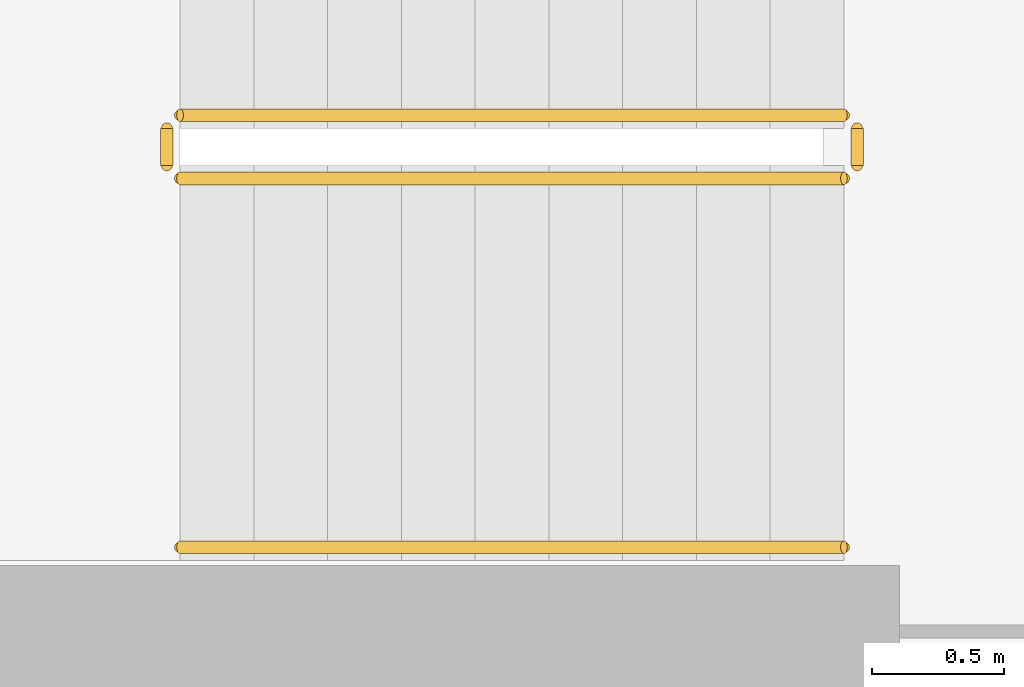
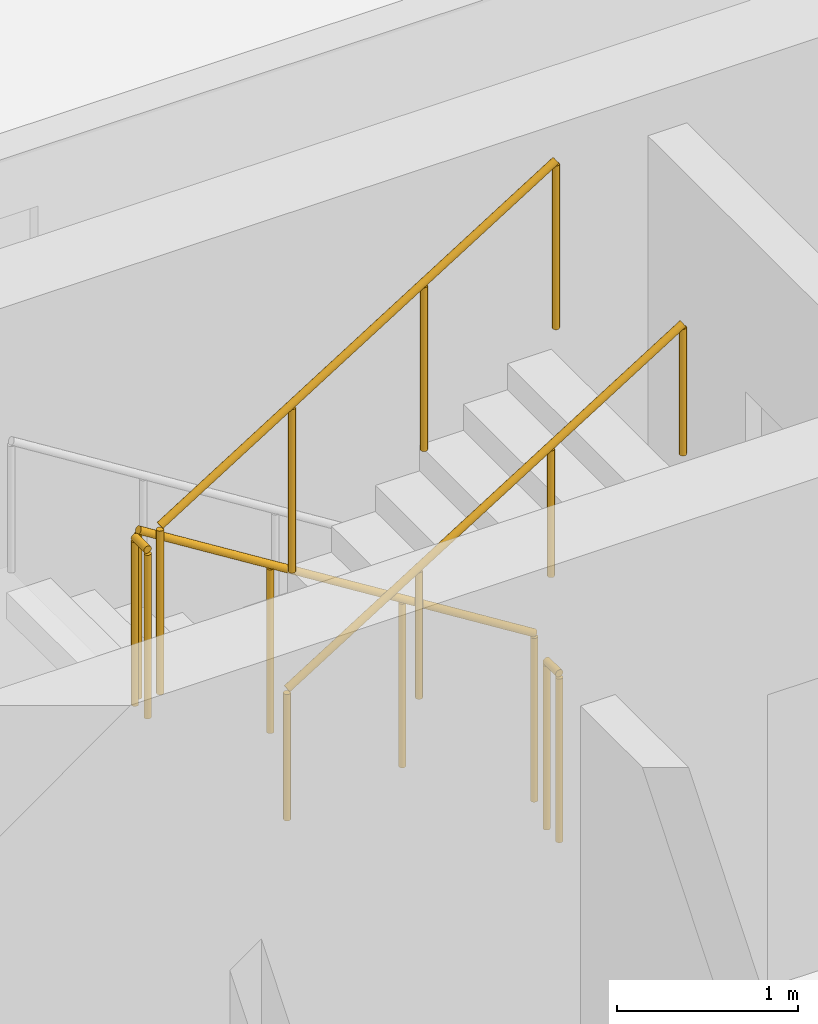
# One storey, part 24 of 26: 5 railings.
"""IFC4 building model written with IfcOpenShell, lengths in metres."""

from ifc_helpers import new_model, si_unit, derived_unit, direction, frame, origin, origin_2d, place, context, subcontext, project, spatial, circle, extrude, material, type_object, element, save


model = new_model("IFC4")

# Units and contexts
model_context = context("Model", 3, precision=1e-05, world=origin(), true_north=direction((0.0, 1.0)))
body_context = subcontext(model_context, "Body", "Model", "MODEL_VIEW")
ifc_project = project(units=[si_unit("LENGTHUNIT", "METRE"), si_unit("AREAUNIT", "SQUARE_METRE"), si_unit("VOLUMEUNIT", "CUBIC_METRE"), si_unit("PLANEANGLEUNIT", "RADIAN"), si_unit("MASSUNIT", "GRAM", prefix="KILO"), derived_unit("THERMALTRANSMITTANCEUNIT", [(si_unit("POWERUNIT", "WATT"), 1), (si_unit("LENGTHUNIT", "METRE"), -2), (si_unit("THERMODYNAMICTEMPERATUREUNIT", "KELVIN"), -1)])], contexts=[model_context])

# Site, building, storey
site_placement = place(None, origin())
site = spatial("IfcSite", under=ifc_project, at=site_placement, CompositionType="ELEMENT")
building_placement = place(site_placement, origin())
building = spatial("IfcBuilding", under=site, at=building_placement, Name="Kivonza Crest Hotel", CompositionType="ELEMENT")
storey_placement = place(building_placement, frame((0.0, 0.0, 66.0)))
storey = spatial("IfcBuildingStorey", under=building, at=storey_placement, Name="L17", CompositionType="ELEMENT", Elevation=66.0)

# Railings
ifc_material_1 = material(Name="Brushed stainless steel handrail", Category="steel")
railing_type_1 = type_object("IfcRailingType", Name="RL-HAND-900", PredefinedType="HANDRAIL", material=ifc_material_1)
railing_1_placement = place(storey_placement, frame((9.719970703125, 33.070068359375, 1.925048828125)))
element("IfcRailing", 1, at=railing_1_placement, inside=storey, type_object=railing_type_1, Name="L17 ST-T1-N stair handrail 2", PredefinedType="HANDRAIL", context=body_context, shape_type="SweptSolid", body=[
    extrude(circle(Radius=0.02392578125, at=origin_2d()), frame((0.0, 0.0, 0.8759765625), z_axis=(0.848007534815, 0.0, 0.529984170421), x_axis=(0.0, 1.0, 0.0)), (0.0, 0.0, 1.0), 2.9716796875),
    extrude(circle(Radius=0.02099609375, at=origin_2d()), origin(), (0.0, 0.0, 1.0), 0.851806640625),
    extrude(circle(Radius=0.02099609375, at=origin_2d()), frame((0.840087890625, 0.0, 0.52490234375)), (0.0, 0.0, 1.0), 0.851806640625),
    extrude(circle(Radius=0.02099609375, at=origin_2d()), frame((1.679931640625, 0.0, 1.050048828125)), (0.0, 0.0, 1.0), 0.851806640625),
    extrude(circle(Radius=0.02099609375, at=origin_2d()), frame((2.52001953125, 0.0, 1.574951171875)), (0.0, 0.0, 1.0), 0.851806640625),
])
ifc_material_2 = material(Name="Painted steel balustrade", Category="steel")
railing_type_2 = type_object("IfcRailingType", Name="RL-STAIR-1150", PredefinedType="BALUSTRADE", material=ifc_material_2)
railing_2_placement = place(storey_placement, frame((12.239990234375, 34.7099609375, 0.175048828125)))
element("IfcRailing", 2, at=railing_2_placement, inside=storey, type_object=railing_type_2, Name="L17 ST-T1-N stair guard 1", PredefinedType="BALUSTRADE", context=body_context, shape_type="SweptSolid", body=[
    extrude(circle(Radius=0.02392578125, at=origin_2d()), frame((0.0, 0.0, 1.1259765625), z_axis=(-0.848007534815, 0.0, 0.529984170421), x_axis=(0.0, -1.0, 0.0)), (0.0, 0.0, 1.0), 2.9716796875),
    extrude(circle(Radius=0.02099609375, at=origin_2d()), origin(), (0.0, 0.0, 1.0), 1.101806640625),
    extrude(circle(Radius=0.02099609375, at=origin_2d()), frame((-0.840087890625, 0.0, 0.52490234375)), (0.0, 0.0, 1.0), 1.101806640625),
    extrude(circle(Radius=0.02099609375, at=origin_2d()), frame((-1.679931640625, 0.0, 1.050048828125)), (0.0, 0.0, 1.0), 1.101806640625),
    extrude(circle(Radius=0.02099609375, at=origin_2d()), frame((-2.52001953125, 0.0, 1.574951171875)), (0.0, 0.0, 1.0), 1.101806640625),
])
railing_3_placement = place(storey_placement, frame((9.669921875, 34.659912109375, 1.75)))
element("IfcRailing", 3, at=railing_3_placement, inside=storey, type_object=railing_type_2, Name="L17 ST-T1-N stair guard 2", PredefinedType="BALUSTRADE", context=body_context, shape_type="SweptSolid", body=[
    extrude(circle(Radius=0.02392578125, at=origin_2d()), frame((0.0, 0.0, 1.1259765625), z_axis=(0.0, -1.0, 0.0), x_axis=(1.0, 0.0, 0.0)), (0.0, 0.0, 1.0), 0.139892578125),
    extrude(circle(Radius=0.02099609375, at=origin_2d()), origin(), (0.0, 0.0, 1.0), 1.101806640625),
    extrude(circle(Radius=0.02099609375, at=origin_2d()), frame((0.0, -0.139892578125, 0.0)), (0.0, 0.0, 1.0), 1.101806640625),
])
railing_4_placement = place(storey_placement, frame((9.719970703125, 34.469970703125, 1.925048828125)))
element("IfcRailing", 4, at=railing_4_placement, inside=storey, type_object=railing_type_2, Name="L17 ST-T1-N stair guard 3", PredefinedType="BALUSTRADE", context=body_context, shape_type="SweptSolid", body=[
    extrude(circle(Radius=0.02392578125, at=origin_2d()), frame((0.0, 0.0, 1.1259765625), z_axis=(0.848007534815, 0.0, 0.529984170421), x_axis=(0.0, 1.0, 0.0)), (0.0, 0.0, 1.0), 2.9716796875),
    extrude(circle(Radius=0.02099609375, at=origin_2d()), origin(), (0.0, 0.0, 1.0), 1.101806640625),
    extrude(circle(Radius=0.02099609375, at=origin_2d()), frame((0.840087890625, 0.0, 0.52490234375)), (0.0, 0.0, 1.0), 1.101806640625),
    extrude(circle(Radius=0.02099609375, at=origin_2d()), frame((1.679931640625, 0.0, 1.050048828125)), (0.0, 0.0, 1.0), 1.101806640625),
    extrude(circle(Radius=0.02099609375, at=origin_2d()), frame((2.52001953125, 0.0, 1.574951171875)), (0.0, 0.0, 1.0), 1.101806640625),
])
railing_5_placement = place(storey_placement, frame((12.2900390625, 34.659912109375, 0.0)))
element("IfcRailing", 5, at=railing_5_placement, inside=storey, type_object=railing_type_2, Name="L17 ST-T1-N stair guard 4", PredefinedType="BALUSTRADE", context=body_context, shape_type="SweptSolid", body=[
    extrude(circle(Radius=0.02392578125, at=origin_2d()), frame((0.0, 0.0, 1.1259765625), z_axis=(0.0, -1.0, 0.0), x_axis=(1.0, 0.0, 0.0)), (0.0, 0.0, 1.0), 0.139892578125),
    extrude(circle(Radius=0.02099609375, at=origin_2d()), origin(), (0.0, 0.0, 1.0), 1.101806640625),
    extrude(circle(Radius=0.02099609375, at=origin_2d()), frame((0.0, -0.139892578125, 0.0)), (0.0, 0.0, 1.0), 1.101806640625),
])

save(model, "model.ifc")
